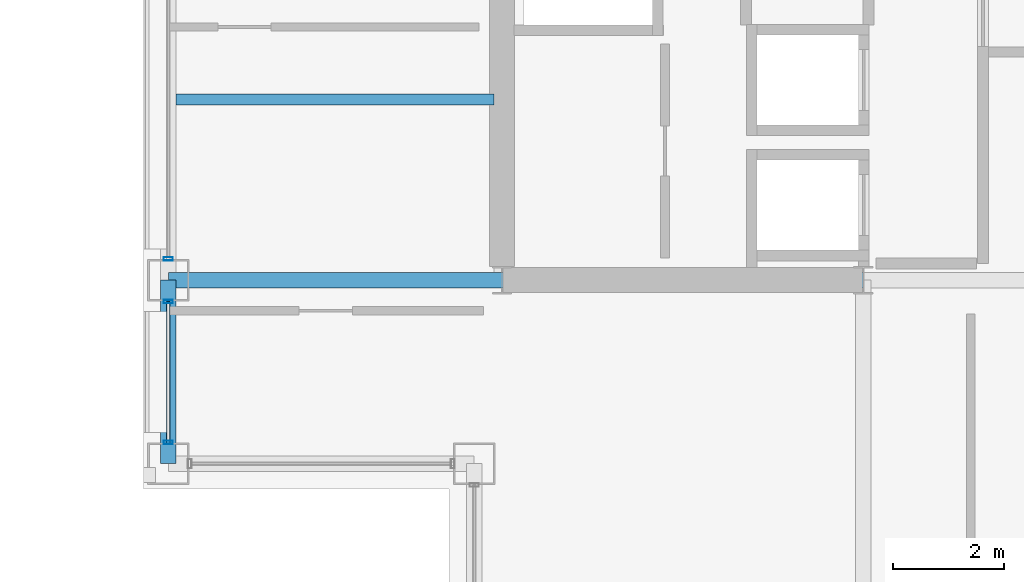
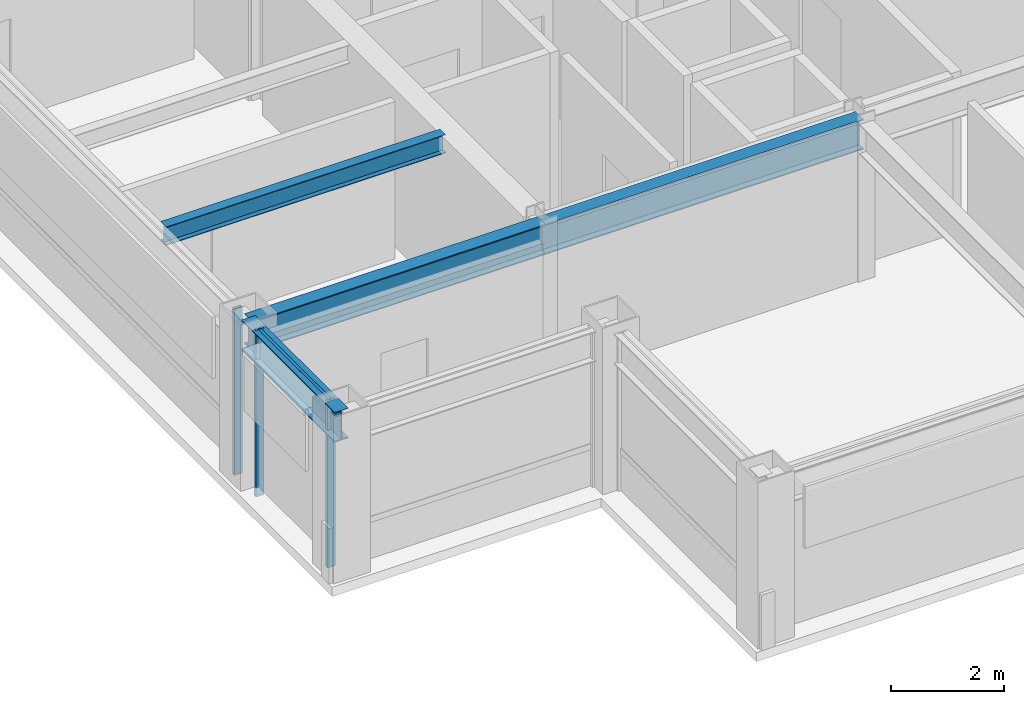
# One storey, part 4 of 31: 4 beams, 4 members, 2 elements without a shape of their own.
"""IFC4 building model written with IfcOpenShell, lengths in metres."""

from ifc_helpers import new_model, si_unit, direction, frame, origin, origin_2d, place, context, subcontext, project, spatial, hollow_rectangle, i_section, extrude, material, layer, layer_set, material_profile, profile_set, type_object, element, aggregate, save


model = new_model("IFC4")

# Units and contexts
model_context = context("Model", 3, precision=1e-05, world=origin(), true_north=direction((0.0, 1.0)))
body_context = subcontext(model_context, "Body", "Model", "MODEL_VIEW")
ifc_project = project(units=[si_unit("LENGTHUNIT", "METRE"), si_unit("AREAUNIT", "SQUARE_METRE"), si_unit("VOLUMEUNIT", "CUBIC_METRE"), si_unit("PLANEANGLEUNIT", "RADIAN"), si_unit("MASSUNIT", "GRAM", prefix="KILO")], contexts=[model_context])

# Site, building, storey
site_placement = place(None, origin())
site = spatial("IfcSite", under=ifc_project, at=site_placement, CompositionType="ELEMENT")
building_placement = place(site_placement, origin())
building = spatial("IfcBuilding", under=site, at=building_placement, Name="Brelmoor Portico Tower", CompositionType="ELEMENT")
storey_placement = place(building_placement, frame((0.0, 0.0, 176.699951171875)))
storey = spatial("IfcBuildingStorey", under=building, at=storey_placement, Name="L46", CompositionType="ELEMENT", Elevation=176.699951171875)

# Beams
ifc_material_1 = material(Name="Steel Q355B", Category="steel")
ifc_material_profile_1 = material_profile(ifc_material_1, i_section(OverallWidth=0.199951171875, OverallDepth=0.39990234375, WebThickness=0.008056640625, FlangeThickness=0.012939453125, at=origin_2d()), Name="HN 400x200x8x13")
ifc_profile_set_1 = profile_set([ifc_material_profile_1], Name="Steel Q355B")
beam_type_1 = type_object("IfcBeamType", Name="BM-JS-400", PredefinedType="JOIST", material=ifc_profile_set_1)
beam_1_placement = place(storey_placement, frame((-20.409912109375, -6.5, 3.199951171875), z_axis=(1.0, 0.0, 0.0), x_axis=(0.0, 1.0, 0.0)))
element("IfcBeam", 1, at=beam_1_placement, inside=storey, type_object=beam_type_1, Name="L46 Secondary Wing Joist JS-W05", PredefinedType="JOIST", context=body_context, shape_type="SweptSolid", body=[
    extrude(i_section(OverallWidth=0.199951171875, OverallDepth=0.39990234375, WebThickness=0.008056640625, FlangeThickness=0.012939453125, at=origin_2d()), origin(), (0.0, 0.0, 1.0), 5.719970703125),
])
ifc_material_profile_2 = material_profile(ifc_material_1, i_section(OverallWidth=0.280029296875, OverallDepth=0.64990234375, WebThickness=0.012939453125, FlangeThickness=0.02197265625, at=origin_2d()), Name="HN 650x280x13x22")
ifc_profile_set_2 = profile_set([ifc_material_profile_2], Name="Steel Q355B")
beam_type_2 = type_object("IfcBeamType", Name="BM-PG-650", PredefinedType="BEAM", material=ifc_profile_set_2)
beam_2_placement = place(storey_placement, frame((-20.550048828125, -9.75, 3.074951171875), z_axis=(1.0, 0.0, 0.0), x_axis=(0.0, 1.0, 0.0)))
element("IfcBeam", 2, at=beam_2_placement, inside=storey, type_object=beam_type_2, Name="L46 Primary Floor Girder PG-11", PredefinedType="BEAM", context=body_context, shape_type="SweptSolid", body=[
    extrude(i_section(OverallWidth=0.280029296875, OverallDepth=0.64990234375, WebThickness=0.012939453125, FlangeThickness=0.02197265625, at=origin_2d()), origin(), (0.0, 0.0, 1.0), 6.0),
])
beam_3_placement = place(storey_placement, frame((-14.550048828125, -9.75, 3.074951171875), z_axis=(1.0, 0.0, 0.0), x_axis=(0.0, 1.0, 0.0)))
element("IfcBeam", 3, at=beam_3_placement, inside=storey, type_object=beam_type_2, Name="L46 Primary Floor Girder PG-12", PredefinedType="BEAM", context=body_context, shape_type="SweptSolid", body=[
    extrude(i_section(OverallWidth=0.280029296875, OverallDepth=0.64990234375, WebThickness=0.012939453125, FlangeThickness=0.02197265625, at=origin_2d()), origin(), (0.0, 0.0, 1.0), 6.5),
])
ifc_material_profile_3 = material_profile(ifc_material_1, i_section(OverallWidth=0.280029296875, OverallDepth=0.64990234375, WebThickness=0.012939453125, FlangeThickness=0.02197265625, at=origin_2d()), Name="HN 650x280x13x22")
ifc_profile_set_3 = profile_set([ifc_material_profile_3], Name="Steel Q355B")
beam_type_3 = type_object("IfcBeamType", Name="BM-SP-650", PredefinedType="SPANDREL", material=ifc_profile_set_3)
beam_4_placement = place(storey_placement, frame((-20.550048828125, -13.050048828125, 3.074951171875), z_axis=(0.0, 1.0, 0.0), x_axis=(-1.0, 0.0, 0.0)))
element("IfcBeam", 4, at=beam_4_placement, inside=storey, type_object=beam_type_3, Name="L46 Perimeter Spandrel Beam SP-11", PredefinedType="SPANDREL", context=body_context, shape_type="SweptSolid", body=[
    extrude(i_section(OverallWidth=0.280029296875, OverallDepth=0.64990234375, WebThickness=0.012939453125, FlangeThickness=0.02197265625, at=origin_2d()), origin(), (0.0, 0.0, 1.0), 3.300048828125),
])

# Curtain wall, members
ifc_material_2 = material(Name="Anodised Aluminium Alloy 6063-T6", Category="aluminium")
ifc_layer_1 = layer(ifc_material_2, 0.179931640625)
ifc_layer_set_1 = layer_set([ifc_layer_1], Name="Anodised Aluminium Alloy 6063-T6")
curtain_wall_type_1 = type_object("IfcCurtainWallType", Name="CW-TOWER-Z3-XB", PredefinedType="NOTDEFINED", material=ifc_layer_set_1)
curtain_wall_1_placement = place(storey_placement, origin())
curtain_wall_1 = element("IfcCurtainWall", 5, at=curtain_wall_1_placement, inside=storey, type_object=curtain_wall_type_1, Name="L46 Curtain Wall CW-L46-3L-1", PredefinedType="NOTDEFINED")
ifc_material_profile_4 = material_profile(ifc_material_2, hollow_rectangle(XDim=0.06494140625, YDim=0.1650390625, WallThickness=0.00390625, at=origin_2d()), Name="ALU MULLION 65x165")
ifc_profile_set_4 = profile_set([ifc_material_profile_4], Name="Anodised Aluminium Alloy 6063-T6")
member_type_1 = type_object("IfcMemberType", Name="MB-CW-MULL-165", PredefinedType="MULLION", material=ifc_profile_set_4)
member_1_placement = place(storey_placement, frame((-20.550048828125, -12.6650390625, -0.199951171875), z_axis=(0.0, 0.0, 1.0), x_axis=(0.0, 1.0, 0.0)))
member_1 = element("IfcMember", 6, at=member_1_placement, type_object=member_type_1, Name="CW-L46-3L-1 Mullion 00", PredefinedType="MULLION", context=body_context, shape_type="SweptSolid", body=[
    extrude(hollow_rectangle(XDim=0.06494140625, YDim=0.1650390625, WallThickness=0.00390625, at=origin_2d()), origin(), (0.0, 0.0, 1.0), 3.60009765625),
])
member_2_placement = place(storey_placement, frame((-20.550048828125, -10.135009765625, -0.199951171875), z_axis=(0.0, 0.0, 1.0), x_axis=(0.0, 1.0, 0.0)))
member_2 = element("IfcMember", 7, at=member_2_placement, type_object=member_type_1, Name="CW-L46-3L-1 Mullion 01", PredefinedType="MULLION", context=body_context, shape_type="SweptSolid", body=[
    extrude(hollow_rectangle(XDim=0.06494140625, YDim=0.1650390625, WallThickness=0.00390625, at=origin_2d()), origin(), (0.0, 0.0, 1.0), 3.60009765625),
])

# Curtain wall, member
ifc_layer_2 = layer(ifc_material_2, 0.179931640625)
ifc_layer_set_2 = layer_set([ifc_layer_2], Name="Anodised Aluminium Alloy 6063-T6")
curtain_wall_type_2 = type_object("IfcCurtainWallType", Name="CW-TOWER-Z3", PredefinedType="NOTDEFINED", material=ifc_layer_set_2)
curtain_wall_2_placement = place(storey_placement, origin())
curtain_wall_2 = element("IfcCurtainWall", 8, at=curtain_wall_2_placement, inside=storey, type_object=curtain_wall_type_2, Name="L46 Curtain Wall CW-L46-3L-2", PredefinedType="NOTDEFINED")
member_3_placement = place(storey_placement, frame((-20.550048828125, -9.364990234375, -0.199951171875), z_axis=(0.0, 0.0, 1.0), x_axis=(0.0, 1.0, 0.0)))
member_3 = element("IfcMember", 9, at=member_3_placement, type_object=member_type_1, Name="CW-L46-3L-2 Mullion 00", PredefinedType="MULLION", context=body_context, shape_type="SweptSolid", body=[
    extrude(hollow_rectangle(XDim=0.06494140625, YDim=0.1650390625, WallThickness=0.00390625, at=origin_2d()), origin(), (0.0, 0.0, 1.0), 3.60009765625),
])
aggregate(curtain_wall_2, [member_3])

# Member
ifc_material_profile_5 = material_profile(ifc_material_2, hollow_rectangle(XDim=0.06005859375, YDim=0.125, WallThickness=0.00341796875, at=origin_2d()), Name="ALU TRANSOM 60x125")
ifc_profile_set_5 = profile_set([ifc_material_profile_5], Name="Anodised Aluminium Alloy 6063-T6")
member_type_2 = type_object("IfcMemberType", Name="MB-CW-TRAN-125", PredefinedType="USERDEFINED", material=ifc_profile_set_5)
member_4_placement = place(storey_placement, frame((-20.550048828125, -12.6650390625, 3.337646484375), z_axis=(0.0, 1.0, 0.0), x_axis=(-1.0, 0.0, 0.0)))
member_4 = element("IfcMember", 10, at=member_4_placement, type_object=member_type_2, Name="CW-L46-3L-1 Transom 1-00", ObjectType="TRANSOM", PredefinedType="USERDEFINED", context=body_context, shape_type="SweptSolid", body=[
    extrude(hollow_rectangle(XDim=0.06005859375, YDim=0.125, WallThickness=0.00341796875, at=origin_2d()), origin(), (0.0, 0.0, 1.0), 2.530029296875),
])

aggregate(curtain_wall_1, [member_1, member_2, member_4])

save(model, "model.ifc")
